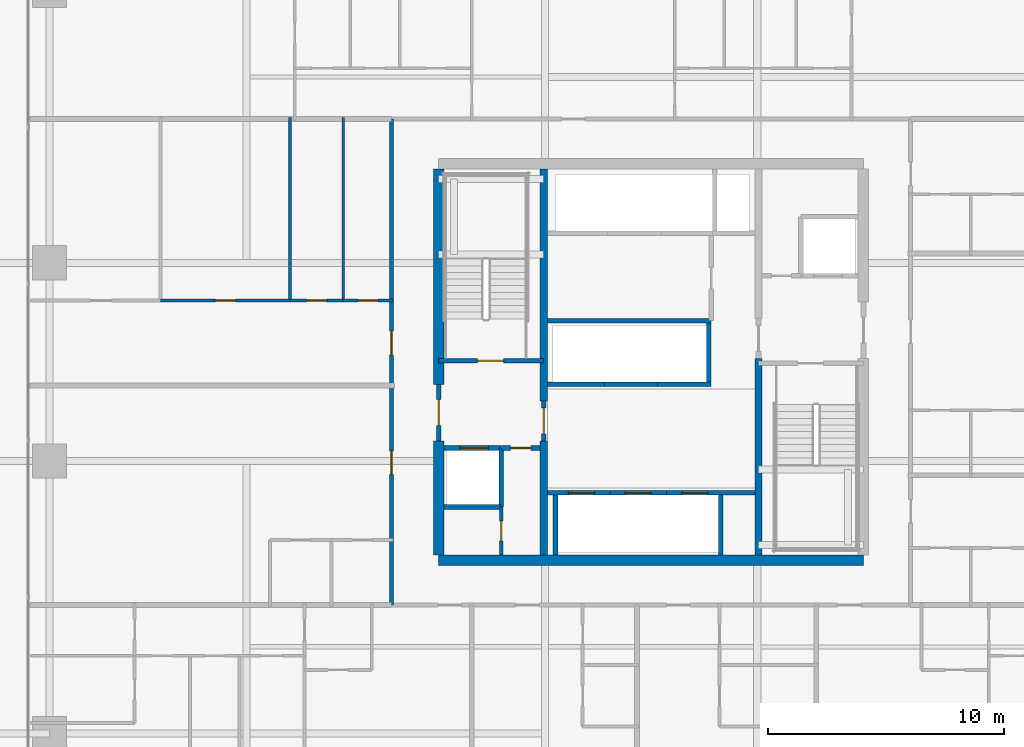
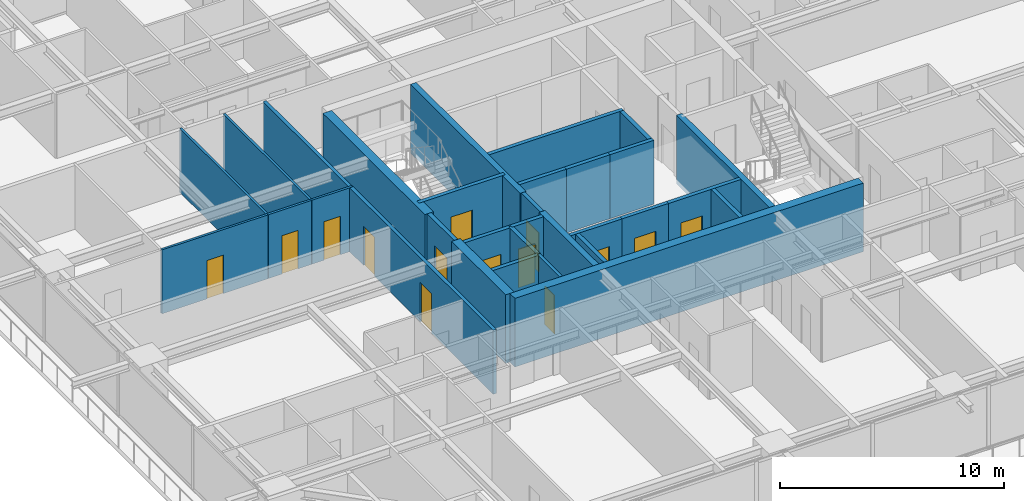
# One storey, part 28 of 38: 30 walls, 14 doors, 14 openings.
"""IFC4 building model written with IfcOpenShell, lengths in metres."""

import ifcopenshell
import ifcopenshell.guid

model = None  # the IFC model being written
_history = None  # IfcOwnerHistory: only IFC2X3 demands one
_inside = {}  # id of a spatial element -> (the spatial element, [elements in it])
_under = {}  # id of a project, library or spatial element -> (it, [spatial elements below it])
_declared = {}  # id of a project -> (the project, [libraries it declares])
_typed = {}  # id of a type object -> (the type object, [elements of that type])
_made_of = {}  # id of a material, layer set ... -> (it, [elements and type objects made of it])


def new_model(schema):
    """Start an empty IFC model of exactly this schema.

    Asked for "IFC4X3", IfcOpenShell would pick the latest addendum, in which some entities
    have other attributes; the version numbers below select the first issue.
    IFC2X3 requires an IfcOwnerHistory on every rooted entity: one is made here for all.
    """
    global model, _history
    if schema == "IFC4X3":
        model = ifcopenshell.file(schema_version=(4, 3, 0, 0))
    else:
        model = ifcopenshell.file(schema=schema)
    _inside.clear()
    _under.clear()
    _declared.clear()
    _typed.clear()
    _made_of.clear()
    _history = None
    if model.schema == "IFC2X3":
        org = make("IfcOrganization", Name="unknown")
        user = make(
            "IfcPersonAndOrganization",
            ThePerson=make("IfcPerson", FamilyName="unknown"),
            TheOrganization=org,
        )
        app = make(
            "IfcApplication",
            ApplicationDeveloper=org,
            Version="unknown",
            ApplicationFullName="unknown",
            ApplicationIdentifier="unknown",
        )
        _history = make(
            "IfcOwnerHistory",
            OwningUser=user,
            OwningApplication=app,
            ChangeAction="ADDED",
            CreationDate=0,
        )
    return model


def make(cls, **values):
    """One entity of the class cls with the attributes given. An attribute that is None is left unset."""
    return model.create_entity(
        cls, **{name: value for name, value in values.items() if value is not None}
    )


def rooted(cls, **values):
    """An entity with a GlobalId (a new one), such as an element, a storey or a relation."""
    return make(cls, GlobalId=ifcopenshell.guid.new(), OwnerHistory=_history, **values)


def si_unit(unit_type, name, prefix=None):
    """IfcSIUnit, for example si_unit("LENGTHUNIT", "METRE", prefix="MILLI")."""
    return make("IfcSIUnit", UnitType=unit_type, Prefix=prefix, Name=name)


def assignment(units):
    """IfcUnitAssignment: the units of a project."""
    return None if units is None else make("IfcUnitAssignment", Units=units)


def point(xyz):
    """IfcCartesianPoint."""
    return None if xyz is None else make("IfcCartesianPoint", Coordinates=xyz)


def direction(xyz):
    """IfcDirection."""
    return None if xyz is None else make("IfcDirection", DirectionRatios=xyz)


def frame(location, z_axis=None, x_axis=None):
    """IfcAxis2Placement3D, a coordinate frame: its origin and axes. An axis left out is left unset."""
    return make(
        "IfcAxis2Placement3D",
        Location=point(location),
        Axis=direction(z_axis),
        RefDirection=direction(x_axis),
    )


def frame_2d(location, x_axis=None):
    """IfcAxis2Placement2D, a coordinate frame in the plane: its origin and x axis."""
    return make(
        "IfcAxis2Placement2D", Location=point(location), RefDirection=direction(x_axis)
    )


def origin():
    """The frame at (0, 0, 0) with its axes left unset."""
    return frame((0.0, 0.0, 0.0))


def place(relative_to, where):
    """IfcLocalPlacement: puts the frame where relative to a parent placement (None: the world)."""
    return make(
        "IfcLocalPlacement", PlacementRelTo=relative_to, RelativePlacement=where
    )


def context(
    kind, dimensions, precision=None, world=None, true_north=None, identifier=None
):
    """IfcGeometricRepresentationContext, for example the 3D "Model" context."""
    return make(
        "IfcGeometricRepresentationContext",
        ContextIdentifier=identifier,
        ContextType=kind,
        CoordinateSpaceDimension=dimensions,
        Precision=precision,
        WorldCoordinateSystem=world,
        TrueNorth=true_north,
    )


def subcontext(parent, identifier, kind, view, scale=None):
    """IfcGeometricRepresentationSubContext, for example "Body" below "Model"."""
    return make(
        "IfcGeometricRepresentationSubContext",
        ContextIdentifier=identifier,
        ContextType=kind,
        ParentContext=parent,
        TargetScale=scale,
        TargetView=view,
    )


def project(units=None, contexts=None):
    """IfcProject with its units and contexts."""
    return rooted(
        "IfcProject",
        Name="project",
        RepresentationContexts=contexts,
        UnitsInContext=assignment(units),
    )


def spatial(cls, under=None, at=None, **own):
    """A site, building, storey or space (cls), placed at a placement, below another one or the project."""
    s = rooted(cls, ObjectPlacement=at, **own)
    if under is not None:
        _under.setdefault(under.id(), (under, []))[1].append(s)
    return s


def profile(cls, at=None, kind="AREA", **sizes):
    """A parametric profile (cls). Its sizes go by their IFC names, for example OverallWidth=200.0."""
    return make(cls, ProfileType=kind, Position=at, **sizes)


def rectangle(**sizes):
    """IfcRectangleProfileDef."""
    return profile("IfcRectangleProfileDef", **sizes)


def extrude(swept, where, along, depth):
    """IfcExtrudedAreaSolid: the profile swept, set in the frame where, extruded along a direction by depth."""
    return make(
        "IfcExtrudedAreaSolid",
        SweptArea=swept,
        Position=where,
        ExtrudedDirection=direction(along),
        Depth=depth,
    )


def shape(context_of_items, identifier, shape_type, items):
    """IfcShapeRepresentation: the items that make up one representation, for example the "Body"."""
    return make(
        "IfcShapeRepresentation",
        ContextOfItems=context_of_items,
        RepresentationIdentifier=identifier,
        RepresentationType=shape_type,
        Items=items,
    )


def source(mapping_origin, context_of_items, identifier, shape_type, items):
    """IfcRepresentationMap: a shape defined once, which mapped items show again and again."""
    return make(
        "IfcRepresentationMap",
        MappingOrigin=mapping_origin,
        MappedRepresentation=shape(context_of_items, identifier, shape_type, items),
    )


def transform(
    local_origin,
    x_axis=None,
    y_axis=None,
    z_axis=None,
    scale=None,
    scale2=None,
    scale3=None,
    uniform=True,
):
    """IfcCartesianTransformationOperator3D, or its non-uniform kind. x_axis, y_axis, z_axis: its Axis1, 2, 3."""
    if uniform:
        return make(
            "IfcCartesianTransformationOperator3D",
            Axis1=direction(x_axis),
            Axis2=direction(y_axis),
            LocalOrigin=point(local_origin),
            Scale=scale,
            Axis3=direction(z_axis),
        )
    return make(
        "IfcCartesianTransformationOperator3DnonUniform",
        Axis1=direction(x_axis),
        Axis2=direction(y_axis),
        LocalOrigin=point(local_origin),
        Scale=scale,
        Axis3=direction(z_axis),
        Scale2=scale2,
        Scale3=scale3,
    )


def mapped(mapping_source, mapping_target):
    """IfcMappedItem: shows the shape of a source again, moved by a transform."""
    return make(
        "IfcMappedItem", MappingSource=mapping_source, MappingTarget=mapping_target
    )


def material(Name=None, Category=None):
    """IfcMaterial."""
    return make("IfcMaterial", Name=Name, Category=Category)


def layer(
    of_material, thickness, ventilated=None, Name=None, Category=None, Priority=None
):
    """IfcMaterialLayer: one layer of a wall or slab, of a material (None: an air gap)."""
    return make(
        "IfcMaterialLayer",
        Material=of_material,
        LayerThickness=thickness,
        IsVentilated=ventilated,
        Name=Name,
        Category=Category,
        Priority=Priority,
    )


def layer_set(layers, Name=None):
    """IfcMaterialLayerSet."""
    return make("IfcMaterialLayerSet", MaterialLayers=layers, LayerSetName=Name)


def made_of(thing, what):
    """Note that an element or type object is made of a material, layer set ...; save() writes the relation."""
    if what is not None:
        _made_of.setdefault(what.id(), (what, []))[1].append(thing)
    return thing


def type_object(cls, material=None, **own):
    """A type object (cls), such as IfcWallType, which elements share."""
    return made_of(rooted(cls, **own), material)


def element(
    cls,
    number,
    at=None,
    inside=None,
    cuts=None,
    type_object=None,
    material=None,
    context=None,
    identifier="Body",
    shape_type=None,
    held_by="IfcProductDefinitionShape",
    body=None,
    shapes=None,
    **own,
):
    """One element of the class cls, such as IfcWall. Its Tag is "e" and its number.

    at: its placement. inside: the storey or other place that contains it. cuts: it is an
    opening in that element (IfcRelVoidsElement). A single representation is given by context,
    identifier, shape_type and body (its items); several are given by shapes. held_by: the class
    of the entity that holds the representations. save() writes the other relations.
    """
    e = rooted(cls, Tag="e%d" % number, ObjectPlacement=at, **own)
    if body is not None:
        shapes = [shape(context, identifier, shape_type, body)]
    if shapes is not None:
        e.Representation = make(held_by, Representations=shapes)
    if inside is not None:
        _inside.setdefault(inside.id(), (inside, []))[1].append(e)
    if cuts is not None:
        rooted(
            "IfcRelVoidsElement", RelatingBuildingElement=cuts, RelatedOpeningElement=e
        )
    if type_object is not None:
        _typed.setdefault(type_object.id(), (type_object, []))[1].append(e)
    return made_of(e, material)


def fill(opening, filler):
    """IfcRelFillsElement: the door or window that sits in an opening."""
    return rooted(
        "IfcRelFillsElement",
        RelatingOpeningElement=opening,
        RelatedBuildingElement=filler,
    )


def aggregate(whole, parts):
    """IfcRelAggregates: a whole, such as a stair, and the parts it consists of."""
    return rooted("IfcRelAggregates", RelatingObject=whole, RelatedObjects=parts)


def save(model, path):
    """Write the relations noted so far, then the file.

    IfcRelAggregates (storeys below a building ...), IfcRelContainedInSpatialStructure (elements
    in a storey), IfcRelDefinesByType, IfcRelAssociatesMaterial and IfcRelDeclares: one each for
    every whole, place, type object, material and project.
    """
    for whole, parts in _under.values():
        aggregate(whole, parts)
    for where, things in _inside.values():
        rooted(
            "IfcRelContainedInSpatialStructure",
            RelatedElements=things,
            RelatingStructure=where,
        )
    for kind, things in _typed.values():
        rooted("IfcRelDefinesByType", RelatedObjects=things, RelatingType=kind)
    for what, things in _made_of.values():
        rooted("IfcRelAssociatesMaterial", RelatedObjects=things, RelatingMaterial=what)
    for by, libraries in _declared.values():
        rooted("IfcRelDeclares", RelatingContext=by, RelatedDefinitions=libraries)
    model.write(path)


model = new_model("IFC4")

# Units and contexts
model_context = context("Model", 3, precision=1e-05, world=origin(), true_north=direction((0.0, 1.0)))
body_context = subcontext(model_context, "Body", "Model", "MODEL_VIEW")
ifc_project = project(units=[si_unit("LENGTHUNIT", "METRE"), si_unit("AREAUNIT", "SQUARE_METRE"), si_unit("VOLUMEUNIT", "CUBIC_METRE"), si_unit("PLANEANGLEUNIT", "RADIAN"), si_unit("MASSUNIT", "GRAM", prefix="KILO")], contexts=[model_context])

# Site, building, storey
site_placement = place(None, origin())
site = spatial("IfcSite", under=ifc_project, at=site_placement, CompositionType="ELEMENT")
building_placement = place(site_placement, origin())
building = spatial("IfcBuilding", under=site, at=building_placement, Name="Serunith Strait Residences", CompositionType="ELEMENT")
storey_placement = place(building_placement, frame((0.0, 0.0, 67.949951171875)))
storey = spatial("IfcBuildingStorey", under=building, at=storey_placement, Name="L16", CompositionType="ELEMENT", Elevation=67.949951171875)

# Wall, opening, door
ifc_material_1 = material(Name="Fire-rated masonry service closet wall", Category="masonry")
ifc_layer_1 = layer(ifc_material_1, 0.14990234375, Name="Fire-rated masonry service closet wall")
ifc_layer_set_1 = layer_set([ifc_layer_1], Name="Fire-rated masonry service closet wall")
wall_type_1 = type_object("IfcWallType", Name="IW-BOH-150", PredefinedType="PARTITIONING", material=ifc_layer_set_1)
wall_1_placement = place(storey_placement, frame((26.050048828125, 17.02490234375, 0.0), z_axis=(0.0, 0.0, 1.0), x_axis=(0.0, 1.0, 0.0)))
wall_1 = element("IfcWall", 1, at=wall_1_placement, inside=storey, type_object=wall_type_1, Name="L16 Partition Wall 012", PredefinedType="PARTITIONING", context=body_context, shape_type="SweptSolid", body=[
    extrude(rectangle(XDim=2.023193359375, YDim=0.14990234375, at=frame_2d((1.01171875, 0.0))), origin(), (0.0, 0.0, 1.0), 3.489990234375),
])
opening_1_placement = place(wall_1_placement, frame((0.5859375, 0.0, 0.0)))
opening_1 = element("IfcOpeningElement", 2, at=opening_1_placement, cuts=wall_1, Name="Opening FD-850", PredefinedType="OPENING", context=body_context, shape_type="SweptSolid", body=[
    extrude(rectangle(XDim=0.85009765625, YDim=2.10009765625, at=frame_2d((0.425048828125, 1.050048828125))), frame((0.0, 0.0849609375, 0.0), z_axis=(0.0, -1.0, 0.0), x_axis=(1.0, 0.0, 0.0)), (0.0, 0.0, 1.0), 0.169921875),
])
ifc_material_2 = material(Name="Powder-coated steel service closet door", Category="steel")
door_type_1 = type_object("IfcDoorType", Name="FD-BOH-850", OperationType="NOTDEFINED", PredefinedType="DOOR", material=ifc_material_2)
shared_shape_1 = source(origin(), body_context, "Body", "SweptSolid", [
    extrude(rectangle(XDim=0.85009765625, YDim=2.10009765625, at=frame_2d((0.425048828125, 1.050048828125))), frame((0.0, 0.02490234375, 0.0), z_axis=(0.0, -1.0, 0.0), x_axis=(1.0, 0.0, 0.0)), (0.0, 0.0, 1.0), 0.050048828125),
])
door_1_placement = place(opening_1_placement, origin())
door_1 = element("IfcDoor", 3, at=door_1_placement, inside=storey, type_object=door_type_1, Name="L16 Cleaner Store Door", OperationType="SINGLE_SWING_RIGHT", OverallHeight=2.10009765625, OverallWidth=0.85009765625, PredefinedType="DOOR", context=body_context, shape_type="MappedRepresentation", body=[
    mapped(shared_shape_1, transform((0.0, 0.0, 0.0), scale=1.0)),
])
fill(opening_1, door_1)

# Wall, openings, doors
ifc_material_3 = material(Name="Fire-rated acoustic gypsum partition")
ifc_layer_2 = layer(ifc_material_3, 0.179931640625, Name="Fire-rated acoustic gypsum partition")
ifc_layer_set_2 = layer_set([ifc_layer_2], Name="Fire-rated acoustic gypsum partition")
wall_type_2 = type_object("IfcWallType", Name="IW-CORR-180", PredefinedType="PARTITIONING", material=ifc_layer_set_2)
wall_2_placement = place(storey_placement, frame((21.39990234375, 14.89990234375, 0.0), z_axis=(0.0, 0.0, 1.0), x_axis=(0.0, 1.0, 0.0)))
wall_2 = element("IfcWall", 4, at=wall_2_placement, inside=storey, type_object=wall_type_2, Name="L16 Partition Wall 026", PredefinedType="PARTITIONING", context=body_context, shape_type="SweptSolid", body=[
    extrude(rectangle(XDim=20.60009765625, YDim=0.179931640625, at=frame_2d((10.300048828125, 0.0))), origin(), (0.0, 0.0, 1.0), 3.489990234375),
])
opening_2_placement = place(wall_2_placement, frame((5.527099609375, 0.0, 0.0)))
opening_2 = element("IfcOpeningElement", 5, at=opening_2_placement, cuts=wall_2, Name="Opening D-APT1000", PredefinedType="OPENING", context=body_context, shape_type="SweptSolid", body=[
    extrude(rectangle(XDim=1.0, YDim=2.14990234375, at=frame_2d((0.5, 1.074951171875))), frame((0.0, 0.10009765625, 0.0), z_axis=(0.0, -1.0, 0.0), x_axis=(1.0, 0.0, 0.0)), (0.0, 0.0, 1.0), 0.199951171875),
])
opening_3_placement = place(wall_2_placement, frame((10.60400390625, 0.0, 0.0)))
opening_3 = element("IfcOpeningElement", 6, at=opening_3_placement, cuts=wall_2, Name="Opening D-APT1000", PredefinedType="OPENING", context=body_context, shape_type="SweptSolid", body=[
    extrude(rectangle(XDim=1.0, YDim=2.14990234375, at=frame_2d((0.5, 1.074951171875))), frame((0.0, 0.10009765625, 0.0), z_axis=(0.0, -1.0, 0.0), x_axis=(1.0, 0.0, 0.0)), (0.0, 0.0, 1.0), 0.199951171875),
])
ifc_material_4 = material(Name="Solid timber engineered fire door", Category="wood")
door_type_2 = type_object("IfcDoorType", Name="ID-APT-1000", OperationType="NOTDEFINED", PredefinedType="DOOR", material=ifc_material_4)
shared_shape_2 = source(origin(), body_context, "Body", "SweptSolid", [
    extrude(rectangle(XDim=1.0, YDim=2.14990234375, at=frame_2d((0.5, 1.074951171875))), frame((0.0, 0.02490234375, 0.0), z_axis=(0.0, -1.0, 0.0), x_axis=(1.0, 0.0, 0.0)), (0.0, 0.0, 1.0), 0.050048828125),
])
door_2_placement = place(opening_2_placement, origin())
door_2 = element("IfcDoor", 7, at=door_2_placement, inside=storey, type_object=door_type_2, Name="L16 Unit 06 Entrance Door", OperationType="SINGLE_SWING_LEFT", OverallHeight=2.14990234375, OverallWidth=1.0, PredefinedType="DOOR", context=body_context, shape_type="MappedRepresentation", body=[
    mapped(shared_shape_2, transform((0.0, 0.0, 0.0), scale=1.0)),
])
fill(opening_2, door_2)
door_3_placement = place(opening_3_placement, origin())
door_3 = element("IfcDoor", 8, at=door_3_placement, inside=storey, type_object=door_type_2, Name="L16 Unit 07 Entrance Door", OperationType="SINGLE_SWING_RIGHT", OverallHeight=2.14990234375, OverallWidth=1.0, PredefinedType="DOOR", context=body_context, shape_type="MappedRepresentation", body=[
    mapped(shared_shape_2, transform((0.0, 0.0, 0.0), scale=1.0)),
])
fill(opening_3, door_3)

# Walls
ifc_material_5 = material(Name="Lightweight steel-stud gypsum partition", Category="steel")
ifc_layer_3 = layer(ifc_material_5, 0.1201171875, Name="Lightweight steel-stud gypsum partition")
ifc_layer_set_3 = layer_set([ifc_layer_3], Name="Lightweight steel-stud gypsum partition")
wall_type_3 = type_object("IfcWallType", Name="IW-PART-120", PredefinedType="PARTITIONING", material=ifc_layer_set_3)
for number, where, z_axis, x_axis, name in (
    (9, (17.10302734375, 27.800048828125, 0.0), (0.0, 0.0, 1.0), (0.0, 1.0, 0.0), "L16 Partition Wall 102"),
    (10, (19.35009765625, 27.800048828125, 0.0), (0.0, 0.0, 1.0), (0.0, 1.0, 0.0), "L16 Partition Wall 103"),
):
    element("IfcWall", number, at=place(storey_placement, frame(where, z_axis=z_axis, x_axis=x_axis)), inside=storey, type_object=wall_type_3, Name=name, PredefinedType="PARTITIONING", context=body_context, shape_type="SweptSolid", body=[
        extrude(rectangle(XDim=7.760009765625, YDim=0.1201171875, at=frame_2d((3.8798828125, 0.0))), origin(), (0.0, 0.0, 1.0), 3.489990234375),
    ])

# Wall, opening, door
wall_3_placement = place(storey_placement, frame((11.611083984375, 27.800048828125, 0.0), z_axis=(0.0, 0.0, 1.0), x_axis=(1.0, 0.0, 0.0)))
wall_3 = element("IfcWall", 11, at=wall_3_placement, inside=storey, type_object=wall_type_3, Name="L16 Partition Wall 104", PredefinedType="PARTITIONING", context=body_context, shape_type="SweptSolid", body=[
    extrude(rectangle(XDim=5.491943359375, YDim=0.1201171875, at=frame_2d((2.74609375, 0.0))), origin(), (0.0, 0.0, 1.0), 3.489990234375),
])
opening_4_placement = place(wall_3_placement, frame((2.321044921875, 0.0, 0.0)))
opening_4 = element("IfcOpeningElement", 12, at=opening_4_placement, cuts=wall_3, Name="Opening D-RM850", PredefinedType="OPENING", context=body_context, shape_type="SweptSolid", body=[
    extrude(rectangle(XDim=0.85009765625, YDim=2.10009765625, at=frame_2d((0.425048828125, 1.050048828125))), frame((0.0, 0.070068359375, 0.0), z_axis=(0.0, -1.0, 0.0), x_axis=(1.0, 0.0, 0.0)), (0.0, 0.0, 1.0), 0.14013671875),
])
ifc_material_6 = material(Name="Engineered timber flush study and kitchen door", Category="wood")
door_type_3 = type_object("IfcDoorType", Name="ID-ROOM-850", OperationType="NOTDEFINED", PredefinedType="DOOR", material=ifc_material_6)
door_4_placement = place(opening_4_placement, origin())
door_4 = element("IfcDoor", 13, at=door_4_placement, inside=storey, type_object=door_type_3, Name="L16 Dining 1607 Door", OperationType="SINGLE_SWING_LEFT", OverallHeight=2.10009765625, OverallWidth=0.85009765625, PredefinedType="DOOR", context=body_context, shape_type="MappedRepresentation", body=[
    mapped(shared_shape_1, transform((0.0, 0.0, 0.0), scale=1.0)),
])
fill(opening_4, door_4)

wall_4_placement = place(storey_placement, frame((17.10498046875, 27.800048828125, 0.0), z_axis=(0.0, 0.0, 1.0), x_axis=(1.0, 0.0, 0.0)))
wall_4 = element("IfcWall", 14, at=wall_4_placement, inside=storey, type_object=wall_type_3, Name="L16 Partition Wall 105", PredefinedType="PARTITIONING", context=body_context, shape_type="SweptSolid", body=[
    extrude(rectangle(XDim=2.2451171875, YDim=0.1201171875, at=frame_2d((1.12255859375, 0.0))), origin(), (0.0, 0.0, 1.0), 3.489990234375),
])
opening_5_placement = place(wall_4_placement, frame((0.697998046875, 0.0, 0.0)))
opening_5 = element("IfcOpeningElement", 15, at=opening_5_placement, cuts=wall_4, Name="Opening D-RM850", PredefinedType="OPENING", context=body_context, shape_type="SweptSolid", body=[
    extrude(rectangle(XDim=0.85009765625, YDim=2.10009765625, at=frame_2d((0.425048828125, 1.050048828125))), frame((0.0, 0.070068359375, 0.0), z_axis=(0.0, -1.0, 0.0), x_axis=(1.0, 0.0, 0.0)), (0.0, 0.0, 1.0), 0.14013671875),
])
door_5_placement = place(opening_5_placement, origin())
door_5 = element("IfcDoor", 16, at=door_5_placement, inside=storey, type_object=door_type_3, Name="L16 Kitchen 1607 Door", OperationType="SINGLE_SWING_RIGHT", OverallHeight=2.10009765625, OverallWidth=0.85009765625, PredefinedType="DOOR", context=body_context, shape_type="MappedRepresentation", body=[
    mapped(shared_shape_1, transform((0.0, 0.0, 0.0), scale=1.0)),
])
fill(opening_5, door_5)

wall_5_placement = place(storey_placement, frame((19.35205078125, 27.800048828125, 0.0), z_axis=(0.0, 0.0, 1.0), x_axis=(1.0, 0.0, 0.0)))
wall_5 = element("IfcWall", 17, at=wall_5_placement, inside=storey, type_object=wall_type_3, Name="L16 Partition Wall 106", PredefinedType="PARTITIONING", context=body_context, shape_type="SweptSolid", body=[
    extrude(rectangle(XDim=2.10791015625, YDim=0.1201171875, at=frame_2d((1.053955078125, 0.0))), origin(), (0.0, 0.0, 1.0), 3.489990234375),
])
opening_6_placement = place(wall_5_placement, frame((0.62890625, 0.0, 0.0)))
opening_6 = element("IfcOpeningElement", 18, at=opening_6_placement, cuts=wall_5, Name="Opening D-BTH850", PredefinedType="OPENING", context=body_context, shape_type="SweptSolid", body=[
    extrude(rectangle(XDim=0.85009765625, YDim=2.10009765625, at=frame_2d((0.425048828125, 1.050048828125))), frame((0.0, 0.070068359375, 0.0), z_axis=(0.0, -1.0, 0.0), x_axis=(1.0, 0.0, 0.0)), (0.0, 0.0, 1.0), 0.14013671875),
])
ifc_material_7 = material(Name="Moisture-resistant timber bathroom door", Category="wood")
door_type_4 = type_object("IfcDoorType", Name="ID-BATH-850", OperationType="NOTDEFINED", PredefinedType="DOOR", material=ifc_material_7)
door_6_placement = place(opening_6_placement, origin())
door_6 = element("IfcDoor", 19, at=door_6_placement, inside=storey, type_object=door_type_4, Name="L16 Bathroom 1607 Door", OperationType="SINGLE_SWING_LEFT", OverallHeight=2.10009765625, OverallWidth=0.85009765625, PredefinedType="DOOR", context=body_context, shape_type="MappedRepresentation", body=[
    mapped(shared_shape_1, transform((0.0, 0.0, 0.0), scale=1.0)),
])
fill(opening_6, door_6)

ifc_material_8 = material(Name="Autoclaved aerated concrete blockwork", Category="masonry")
ifc_layer_4 = layer(ifc_material_8, 0.199951171875, Name="Autoclaved aerated concrete blockwork")
ifc_layer_set_4 = layer_set([ifc_layer_4], Name="Autoclaved aerated concrete blockwork")
wall_type_4 = type_object("IfcWallType", Name="IW-SHAFT-200", PredefinedType="STANDARD", material=ifc_layer_set_4)
wall_6_placement = place(storey_placement, frame((23.39990234375, 25.25, 0.0), z_axis=(0.0, 0.0, 1.0), x_axis=(1.0, 0.0, 0.0)))
wall_6 = element("IfcWall", 20, at=wall_6_placement, inside=storey, type_object=wall_type_4, Name="L16 ST-1 South Shaft Wall", PredefinedType="STANDARD", context=body_context, shape_type="SweptSolid", body=[
    extrude(rectangle(XDim=4.4501953125, YDim=0.199951171875, at=frame_2d((2.22509765625, 0.0))), origin(), (0.0, 0.0, 1.0), 3.489990234375),
])
opening_7_placement = place(wall_6_placement, frame((1.64990234375, 0.0, 0.0)))
opening_7 = element("IfcOpeningElement", 21, at=opening_7_placement, cuts=wall_6, Name="Opening FD-1100", PredefinedType="OPENING", context=body_context, shape_type="SweptSolid", body=[
    extrude(rectangle(XDim=1.10009765625, YDim=2.14990234375, at=frame_2d((0.550048828125, 1.074951171875))), frame((0.0, 0.10986328125, 0.0), z_axis=(0.0, -1.0, 0.0), x_axis=(1.0, 0.0, 0.0)), (0.0, 0.0, 1.0), 0.219970703125),
])
ifc_material_9 = material(Name="Galvanised steel fire door leaf", Category="steel")
door_type_5 = type_object("IfcDoorType", Name="FD-STAIR-1100", OperationType="NOTDEFINED", PredefinedType="DOOR", material=ifc_material_9)
shared_shape_3 = source(origin(), body_context, "Body", "SweptSolid", [
    extrude(rectangle(XDim=1.10009765625, YDim=2.14990234375, at=frame_2d((0.550048828125, 1.074951171875))), frame((0.0, 0.02490234375, 0.0), z_axis=(0.0, -1.0, 0.0), x_axis=(1.0, 0.0, 0.0)), (0.0, 0.0, 1.0), 0.050048828125),
])
door_7_placement = place(opening_7_placement, origin())
door_7 = element("IfcDoor", 22, at=door_7_placement, inside=storey, type_object=door_type_5, Name="L16 ST-1 Escape Stair Door", OperationType="SINGLE_SWING_RIGHT", OverallHeight=2.14990234375, OverallWidth=1.10009765625, PredefinedType="DOOR", context=body_context, shape_type="MappedRepresentation", body=[
    mapped(shared_shape_3, transform((0.0, 0.0, 0.0), scale=1.0)),
])
fill(opening_7, door_7)

wall_7_placement = place(storey_placement, frame((23.625, 21.550048828125, 0.0), z_axis=(0.0, 0.0, 1.0), x_axis=(1.0, 0.0, 0.0)))
wall_7 = element("IfcWall", 23, at=wall_7_placement, inside=storey, type_object=wall_type_4, Name="L16 FL-1 North Shaft Wall", PredefinedType="STANDARD", context=body_context, shape_type="SweptSolid", body=[
    extrude(rectangle(XDim=2.425048828125, YDim=0.199951171875, at=frame_2d((1.21240234375, 0.0))), origin(), (0.0, 0.0, 1.0), 3.489990234375),
])
opening_8_placement = place(wall_7_placement, frame((0.675048828125, 0.0, 0.0)))
opening_8 = element("IfcOpeningElement", 24, at=opening_8_placement, cuts=wall_7, Name="Opening LD-FF1200", PredefinedType="OPENING", context=body_context, shape_type="SweptSolid", body=[
    extrude(rectangle(XDim=1.199951171875, YDim=2.199951171875, at=frame_2d((0.60009765625, 1.10009765625))), frame((0.0, 0.10986328125, 0.0), z_axis=(0.0, -1.0, 0.0), x_axis=(1.0, 0.0, 0.0)), (0.0, 0.0, 1.0), 0.219970703125),
])
ifc_material_10 = material(Name="Brushed stainless steel landing door", Category="steel")
door_type_6 = type_object("IfcDoorType", Name="LD-FF-1200", OperationType="DOUBLE_DOOR_SLIDING", PredefinedType="DOOR", material=ifc_material_10)
shared_shape_4 = source(origin(), body_context, "Body", "SweptSolid", [
    extrude(rectangle(XDim=1.199951171875, YDim=2.199951171875, at=frame_2d((0.60009765625, 1.10009765625))), frame((0.0, 0.02490234375, 0.0), z_axis=(0.0, -1.0, 0.0), x_axis=(1.0, 0.0, 0.0)), (0.0, 0.0, 1.0), 0.050048828125),
])
door_8_placement = place(opening_8_placement, origin())
door_8 = element("IfcDoor", 25, at=door_8_placement, inside=storey, type_object=door_type_6, Name="L16 FL-1 Landing Door", OperationType="DOUBLE_DOOR_SLIDING", OverallHeight=2.199951171875, OverallWidth=1.199951171875, PredefinedType="DOOR", context=body_context, shape_type="MappedRepresentation", body=[
    mapped(shared_shape_4, transform((0.0, 0.0, 0.0), scale=1.0)),
])
fill(opening_8, door_8)

wall_8_placement = place(storey_placement, frame((28.0, 19.64990234375, 0.0), z_axis=(0.0, 0.0, 1.0), x_axis=(1.0, 0.0, 0.0)))
wall_8 = element("IfcWall", 26, at=wall_8_placement, inside=storey, type_object=wall_type_4, Name="L16 PL-1 North Shaft Wall", PredefinedType="STANDARD", context=body_context, shape_type="SweptSolid", body=[
    extrude(rectangle(XDim=2.64990234375, YDim=0.199951171875, at=frame_2d((1.324951171875, 0.0))), origin(), (0.0, 0.0, 1.0), 3.489990234375),
])
opening_9_placement = place(wall_8_placement, frame((0.89990234375, 0.0, 0.0)))
opening_9 = element("IfcOpeningElement", 27, at=opening_9_placement, cuts=wall_8, Name="Opening LD-1100", PredefinedType="OPENING", context=body_context, shape_type="SweptSolid", body=[
    extrude(rectangle(XDim=1.10009765625, YDim=2.199951171875, at=frame_2d((0.550048828125, 1.10009765625))), frame((0.0, 0.10986328125, 0.0), z_axis=(0.0, -1.0, 0.0), x_axis=(1.0, 0.0, 0.0)), (0.0, 0.0, 1.0), 0.219970703125),
])
ifc_material_11 = material(Name="Pale-champagne stainless landing door")
door_type_7 = type_object("IfcDoorType", Name="LD-LIFT-1100", OperationType="DOUBLE_DOOR_SLIDING", PredefinedType="DOOR", material=ifc_material_11)
shared_shape_5 = source(origin(), body_context, "Body", "SweptSolid", [
    extrude(rectangle(XDim=1.10009765625, YDim=2.199951171875, at=frame_2d((0.550048828125, 1.10009765625))), frame((0.0, 0.02490234375, 0.0), z_axis=(0.0, -1.0, 0.0), x_axis=(1.0, 0.0, 0.0)), (0.0, 0.0, 1.0), 0.050048828125),
])
door_9_placement = place(opening_9_placement, origin())
door_9 = element("IfcDoor", 28, at=door_9_placement, inside=storey, type_object=door_type_7, Name="L16 PL-1 Landing Door", OperationType="DOUBLE_DOOR_SLIDING", OverallHeight=2.199951171875, OverallWidth=1.10009765625, PredefinedType="DOOR", context=body_context, shape_type="MappedRepresentation", body=[
    mapped(shared_shape_5, transform((0.0, 0.0, 0.0), scale=1.0)),
])
fill(opening_9, door_9)

# Wall
wall_9_placement = place(storey_placement, frame((28.35009765625, 17.02490234375, 0.0), z_axis=(0.0, 0.0, 1.0), x_axis=(0.0, 1.0, 0.0)))
element("IfcWall", 29, at=wall_9_placement, inside=storey, type_object=wall_type_4, Name="L16 PL-1 West Shaft Wall", PredefinedType="STANDARD", context=body_context, shape_type="SweptSolid", body=[
    extrude(rectangle(XDim=2.525146484375, YDim=0.199951171875, at=frame_2d((1.2626953125, 0.0))), origin(), (0.0, 0.0, 1.0), 3.489990234375),
])

# Wall, opening, door
wall_10_placement = place(storey_placement, frame((30.64990234375, 19.64990234375, 0.0), z_axis=(0.0, 0.0, 1.0), x_axis=(1.0, 0.0, 0.0)))
wall_10 = element("IfcWall", 30, at=wall_10_placement, inside=storey, type_object=wall_type_4, Name="L16 PL-2 North Shaft Wall", PredefinedType="STANDARD", context=body_context, shape_type="SweptSolid", body=[
    extrude(rectangle(XDim=2.400146484375, YDim=0.199951171875, at=frame_2d((1.2001953125, 0.0))), origin(), (0.0, 0.0, 1.0), 3.489990234375),
])
opening_10_placement = place(wall_10_placement, frame((0.64990234375, 0.0, 0.0)))
opening_10 = element("IfcOpeningElement", 31, at=opening_10_placement, cuts=wall_10, Name="Opening LD-1100", PredefinedType="OPENING", context=body_context, shape_type="SweptSolid", body=[
    extrude(rectangle(XDim=1.10009765625, YDim=2.199951171875, at=frame_2d((0.550048828125, 1.10009765625))), frame((0.0, 0.10986328125, 0.0), z_axis=(0.0, -1.0, 0.0), x_axis=(1.0, 0.0, 0.0)), (0.0, 0.0, 1.0), 0.219970703125),
])
door_10_placement = place(opening_10_placement, origin())
door_10 = element("IfcDoor", 32, at=door_10_placement, inside=storey, type_object=door_type_7, Name="L16 PL-2 Landing Door", OperationType="DOUBLE_DOOR_SLIDING", OverallHeight=2.199951171875, OverallWidth=1.10009765625, PredefinedType="DOOR", context=body_context, shape_type="MappedRepresentation", body=[
    mapped(shared_shape_5, transform((0.0, 0.0, 0.0), scale=1.0)),
])
fill(opening_10, door_10)

wall_11_placement = place(storey_placement, frame((33.050048828125, 19.64990234375, 0.0), z_axis=(0.0, 0.0, 1.0), x_axis=(1.0, 0.0, 0.0)))
wall_11 = element("IfcWall", 33, at=wall_11_placement, inside=storey, type_object=wall_type_4, Name="L16 PL-3 North Shaft Wall", PredefinedType="STANDARD", context=body_context, shape_type="SweptSolid", body=[
    extrude(rectangle(XDim=3.75, YDim=0.199951171875, at=frame_2d((1.875, 0.0))), origin(), (0.0, 0.0, 1.0), 3.489990234375),
])
opening_11_placement = place(wall_11_placement, frame((0.64990234375, 0.0, 0.0)))
opening_11 = element("IfcOpeningElement", 34, at=opening_11_placement, cuts=wall_11, Name="Opening LD-1100", PredefinedType="OPENING", context=body_context, shape_type="SweptSolid", body=[
    extrude(rectangle(XDim=1.10009765625, YDim=2.199951171875, at=frame_2d((0.550048828125, 1.10009765625))), frame((0.0, 0.10986328125, 0.0), z_axis=(0.0, -1.0, 0.0), x_axis=(1.0, 0.0, 0.0)), (0.0, 0.0, 1.0), 0.219970703125),
])
door_11_placement = place(opening_11_placement, origin())
door_11 = element("IfcDoor", 35, at=door_11_placement, inside=storey, type_object=door_type_7, Name="L16 PL-3 Landing Door", OperationType="DOUBLE_DOOR_SLIDING", OverallHeight=2.199951171875, OverallWidth=1.10009765625, PredefinedType="DOOR", context=body_context, shape_type="MappedRepresentation", body=[
    mapped(shared_shape_5, transform((0.0, 0.0, 0.0), scale=1.0)),
])
fill(opening_11, door_11)

# Walls
wall_12_placement = place(storey_placement, frame((35.35009765625, 17.02490234375, 0.0), z_axis=(0.0, 0.0, 1.0), x_axis=(0.0, 1.0, 0.0)))
element("IfcWall", 36, at=wall_12_placement, inside=storey, type_object=wall_type_4, Name="L16 PL-3 East Shaft Wall", PredefinedType="STANDARD", context=body_context, shape_type="SweptSolid", body=[
    extrude(rectangle(XDim=2.525146484375, YDim=0.199951171875, at=frame_2d((1.2626953125, 0.0))), origin(), (0.0, 0.0, 1.0), 3.489990234375),
])
wall_13_placement = place(storey_placement, frame((28.0, 24.25, 0.0), z_axis=(0.0, 0.0, 1.0), x_axis=(1.0, 0.0, 0.0)))
element("IfcWall", 37, at=wall_13_placement, inside=storey, type_object=wall_type_4, Name="L16 PL-4 South Shaft Wall", PredefinedType="STANDARD", context=body_context, shape_type="SweptSolid", body=[
    extrude(rectangle(XDim=2.425048828125, YDim=0.199951171875, at=frame_2d((1.21240234375, 0.0))), origin(), (0.0, 0.0, 1.0), 3.489990234375),
])
wall_14_placement = place(storey_placement, frame((30.425048828125, 24.25, 0.0), z_axis=(0.0, 0.0, 1.0), x_axis=(1.0, 0.0, 0.0)))
element("IfcWall", 38, at=wall_14_placement, inside=storey, type_object=wall_type_4, Name="L16 PL-5 South Shaft Wall", PredefinedType="STANDARD", context=body_context, shape_type="SweptSolid", body=[
    extrude(rectangle(XDim=2.25, YDim=0.199951171875, at=frame_2d((1.125, 0.0))), origin(), (0.0, 0.0, 1.0), 3.489990234375),
])
wall_15_placement = place(storey_placement, frame((32.675048828125, 24.25, 0.0), z_axis=(0.0, 0.0, 1.0), x_axis=(1.0, 0.0, 0.0)))
element("IfcWall", 39, at=wall_15_placement, inside=storey, type_object=wall_type_4, Name="L16 PL-6 South Shaft Wall", PredefinedType="STANDARD", context=body_context, shape_type="SweptSolid", body=[
    extrude(rectangle(XDim=2.27490234375, YDim=0.199951171875, at=frame_2d((1.137451171875, 0.0))), origin(), (0.0, 0.0, 1.0), 3.489990234375),
])
for number, where, z_axis, x_axis, name in (
    (40, (34.85009765625, 24.35009765625, 0.0), (0.0, 0.0, 1.0), (0.0, 1.0, 0.0), "L16 PL-6 East Shaft Wall"),
    (41, (26.050048828125, 19.050048828125, 0.0), (0.0, 0.0, 1.0), (0.0, 1.0, 0.0), "L16 Partition Wall 001"),
):
    element("IfcWall", number, at=place(storey_placement, frame(where, z_axis=z_axis, x_axis=x_axis)), inside=storey, type_object=wall_type_4, Name=name, PredefinedType="STANDARD", context=body_context, shape_type="SweptSolid", body=[
        extrude(rectangle(XDim=2.5, YDim=0.199951171875, at=frame_2d((1.25, 0.0))), origin(), (0.0, 0.0, 1.0), 3.489990234375),
    ])
wall_16_placement = place(storey_placement, frame((23.625, 19.050048828125, 0.0), z_axis=(0.0, 0.0, 1.0), x_axis=(1.0, 0.0, 0.0)))
element("IfcWall", 42, at=wall_16_placement, inside=storey, type_object=wall_type_4, Name="L16 Partition Wall 002", PredefinedType="STANDARD", context=body_context, shape_type="SweptSolid", body=[
    extrude(rectangle(XDim=2.425048828125, YDim=0.199951171875, at=frame_2d((1.21240234375, 0.0))), origin(), (0.0, 0.0, 1.0), 3.489990234375),
])

# Wall, opening, door
wall_17_placement = place(storey_placement, frame((26.052001953125, 21.550048828125, 0.0), z_axis=(0.0, 0.0, 1.0), x_axis=(1.0, 0.0, 0.0)))
wall_17 = element("IfcWall", 43, at=wall_17_placement, inside=storey, type_object=wall_type_4, Name="L16 Partition Wall 003", PredefinedType="STANDARD", context=body_context, shape_type="SweptSolid", body=[
    extrude(rectangle(XDim=1.64794921875, YDim=0.199951171875, at=frame_2d((0.823974609375, 0.0))), origin(), (0.0, 0.0, 1.0), 3.489990234375),
])
opening_12_placement = place(wall_17_placement, frame((0.39892578125, 0.0, 0.0)))
opening_12 = element("IfcOpeningElement", 44, at=opening_12_placement, cuts=wall_17, Name="Opening FD-850", PredefinedType="OPENING", context=body_context, shape_type="SweptSolid", body=[
    extrude(rectangle(XDim=0.85009765625, YDim=2.10009765625, at=frame_2d((0.425048828125, 1.050048828125))), frame((0.0, 0.10986328125, 0.0), z_axis=(0.0, -1.0, 0.0), x_axis=(1.0, 0.0, 0.0)), (0.0, 0.0, 1.0), 0.219970703125),
])
door_12_placement = place(opening_12_placement, origin())
door_12 = element("IfcDoor", 45, at=door_12_placement, inside=storey, type_object=door_type_1, Name="L16 South-West Core Service Door", OperationType="SINGLE_SWING_RIGHT", OverallHeight=2.10009765625, OverallWidth=0.85009765625, PredefinedType="DOOR", context=body_context, shape_type="MappedRepresentation", body=[
    mapped(shared_shape_1, transform((0.0, 0.0, 0.0), scale=1.0)),
])
fill(opening_12, door_12)

wall_18_placement = place(storey_placement, frame((23.39990234375, 21.85205078125, 0.0), z_axis=(0.0, 0.0, 1.0), x_axis=(0.0, 1.0, 0.0)))
wall_18 = element("IfcWall", 46, at=wall_18_placement, inside=storey, type_object=wall_type_4, Name="L16 Partition Wall 007", PredefinedType="STANDARD", context=body_context, shape_type="SweptSolid", body=[
    extrude(rectangle(XDim=2.39599609375, YDim=0.199951171875, at=frame_2d((1.197998046875, 0.0))), origin(), (0.0, 0.0, 1.0), 3.489990234375),
])
opening_13_placement = place(wall_18_placement, frame((0.64794921875, 0.0, 0.0)))
opening_13 = element("IfcOpeningElement", 47, at=opening_13_placement, cuts=wall_18, Name="Opening FD-FFL", PredefinedType="OPENING", context=body_context, shape_type="SweptSolid", body=[
    extrude(rectangle(XDim=1.10009765625, YDim=2.14990234375, at=frame_2d((0.550048828125, 1.074951171875))), frame((0.0, 0.10986328125, 0.0), z_axis=(0.0, -1.0, 0.0), x_axis=(1.0, 0.0, 0.0)), (0.0, 0.0, 1.0), 0.219970703125),
])
ifc_material_12 = material(Name="Glazed steel smoke-lobby fire door", Category="steel")
door_type_8 = type_object("IfcDoorType", Name="FD-FFL-1100", OperationType="NOTDEFINED", PredefinedType="DOOR", material=ifc_material_12)
door_13_placement = place(opening_13_placement, origin())
door_13 = element("IfcDoor", 48, at=door_13_placement, inside=storey, type_object=door_type_8, Name="L16 FFL-1 Corridor Fire Door", OperationType="SINGLE_SWING_RIGHT", OverallHeight=2.14990234375, OverallWidth=1.10009765625, PredefinedType="DOOR", context=body_context, shape_type="MappedRepresentation", body=[
    mapped(shared_shape_3, transform((0.0, 0.0, 0.0), scale=1.0)),
])
fill(opening_13, door_13)

wall_19_placement = place(storey_placement, frame((27.85009765625, 21.85205078125, 0.0), z_axis=(0.0, 0.0, 1.0), x_axis=(0.0, 1.0, 0.0)))
wall_19 = element("IfcWall", 49, at=wall_19_placement, inside=storey, type_object=wall_type_4, Name="L16 Partition Wall 009", PredefinedType="STANDARD", context=body_context, shape_type="SweptSolid", body=[
    extrude(rectangle(XDim=1.696044921875, YDim=0.199951171875, at=frame_2d((0.84814453125, 0.0))), origin(), (0.0, 0.0, 1.0), 3.489990234375),
])
opening_14_placement = place(wall_19_placement, frame((0.298095703125, 0.0, 0.0)))
opening_14 = element("IfcOpeningElement", 50, at=opening_14_placement, cuts=wall_19, Name="Opening FD-FFL", PredefinedType="OPENING", context=body_context, shape_type="SweptSolid", body=[
    extrude(rectangle(XDim=1.10009765625, YDim=2.14990234375, at=frame_2d((0.550048828125, 1.074951171875))), frame((0.0, 0.10986328125, 0.0), z_axis=(0.0, -1.0, 0.0), x_axis=(1.0, 0.0, 0.0)), (0.0, 0.0, 1.0), 0.219970703125),
])
door_14_placement = place(opening_14_placement, origin())
door_14 = element("IfcDoor", 51, at=door_14_placement, inside=storey, type_object=door_type_8, Name="L16 FFL-1 Lift Lobby Door", OperationType="SINGLE_SWING_RIGHT", OverallHeight=2.14990234375, OverallWidth=1.10009765625, PredefinedType="DOOR", context=body_context, shape_type="MappedRepresentation", body=[
    mapped(shared_shape_3, transform((0.0, 0.0, 0.0), scale=1.0)),
])
fill(opening_14, door_14)

# Walls
wall_20_placement = place(storey_placement, frame((28.0, 26.949951171875, 0.0), z_axis=(0.0, 0.0, 1.0), x_axis=(1.0, 0.0, 0.0)))
element("IfcWall", 52, at=wall_20_placement, inside=storey, type_object=wall_type_4, Name="L16 Partition Wall 011", PredefinedType="STANDARD", context=body_context, shape_type="SweptSolid", body=[
    extrude(rectangle(XDim=6.949951171875, YDim=0.199951171875, at=frame_2d((3.47509765625, 0.0))), origin(), (0.0, 0.0, 1.0), 3.489990234375),
])
ifc_material_13 = material(Name="Concrete C80/95", Category="concrete")
ifc_layer_5 = layer(ifc_material_13, 0.300048828125, Name="Concrete C80/95")
ifc_layer_set_5 = layer_set([ifc_layer_5], Name="Concrete C80/95")
wall_type_5 = type_object("IfcWallType", Name="SW-300-C80", PredefinedType="SHEAR", material=ifc_layer_set_5)
wall_21_placement = place(storey_placement, frame((27.85009765625, 17.02490234375, -0.260009765625), z_axis=(0.0, 0.0, 1.0), x_axis=(0.0, 1.0, 0.0)))
element("IfcWall", 53, at=wall_21_placement, inside=storey, type_object=wall_type_5, Name="L16 Core Internal West Web South Pier", PredefinedType="SHEAR", context=body_context, shape_type="SweptSolid", body=[
    extrude(rectangle(XDim=4.8251953125, YDim=0.300048828125, at=frame_2d((2.41259765625, 0.0))), origin(), (0.0, 0.0, 1.0), 3.748046875),
])
wall_22_placement = place(storey_placement, frame((27.85009765625, 23.550048828125, -0.260009765625), z_axis=(0.0, 0.0, 1.0), x_axis=(0.0, 1.0, 0.0)))
element("IfcWall", 54, at=wall_22_placement, inside=storey, type_object=wall_type_5, Name="L16 Core Internal West Web North Pier", PredefinedType="SHEAR", context=body_context, shape_type="SweptSolid", body=[
    extrude(rectangle(XDim=9.824951171875, YDim=0.300048828125, at=frame_2d((4.91259765625, 0.0))), origin(), (0.0, 0.0, 1.0), 3.748046875),
])
wall_23_placement = place(storey_placement, frame((36.949951171875, 17.02490234375, -0.260009765625), z_axis=(0.0, 0.0, 1.0), x_axis=(0.0, 1.0, 0.0)))
element("IfcWall", 55, at=wall_23_placement, inside=storey, type_object=wall_type_5, Name="L16 Core Internal East Web South Pier", PredefinedType="SHEAR", context=body_context, shape_type="SweptSolid", body=[
    extrude(rectangle(XDim=8.3251953125, YDim=0.300048828125, at=frame_2d((4.16259765625, 0.0))), origin(), (0.0, 0.0, 1.0), 3.748046875),
])
ifc_layer_6 = layer(ifc_material_13, 0.449951171875, Name="Concrete C80/95")
ifc_layer_set_6 = layer_set([ifc_layer_6], Name="Concrete C80/95")
wall_type_6 = type_object("IfcWallType", Name="SW-450-C80", PredefinedType="SHEAR", material=ifc_layer_set_6)
wall_24_placement = place(storey_placement, frame((23.39990234375, 16.800048828125, -0.260009765625), z_axis=(0.0, 0.0, 1.0), x_axis=(1.0, 0.0, 0.0)))
element("IfcWall", 56, at=wall_24_placement, inside=storey, type_object=wall_type_6, Name="L16 Core South Shear Wall", PredefinedType="SHEAR", context=body_context, shape_type="SweptSolid", body=[
    extrude(rectangle(XDim=18.0, YDim=0.449951171875, at=frame_2d((9.0, 0.0))), origin(), (0.0, 0.0, 1.0), 3.748046875),
])
wall_25_placement = place(storey_placement, frame((23.39990234375, 17.02490234375, -0.260009765625), z_axis=(0.0, 0.0, 1.0), x_axis=(0.0, 1.0, 0.0)))
element("IfcWall", 57, at=wall_25_placement, inside=storey, type_object=wall_type_6, Name="L16 Core West Shear Wall South Pier", PredefinedType="SHEAR", context=body_context, shape_type="SweptSolid", body=[
    extrude(rectangle(XDim=4.8251953125, YDim=0.449951171875, at=frame_2d((2.41259765625, 0.0))), origin(), (0.0, 0.0, 1.0), 3.748046875),
])
wall_26_placement = place(storey_placement, frame((23.39990234375, 24.25, -0.260009765625), z_axis=(0.0, 0.0, 1.0), x_axis=(0.0, 1.0, 0.0)))
element("IfcWall", 58, at=wall_26_placement, inside=storey, type_object=wall_type_6, Name="L16 Core West Shear Wall North Pier", PredefinedType="SHEAR", context=body_context, shape_type="SweptSolid", body=[
    extrude(rectangle(XDim=9.125, YDim=0.449951171875, at=frame_2d((4.5625, 0.0))), origin(), (0.0, 0.0, 1.0), 3.748046875),
])

save(model, "model.ifc")
